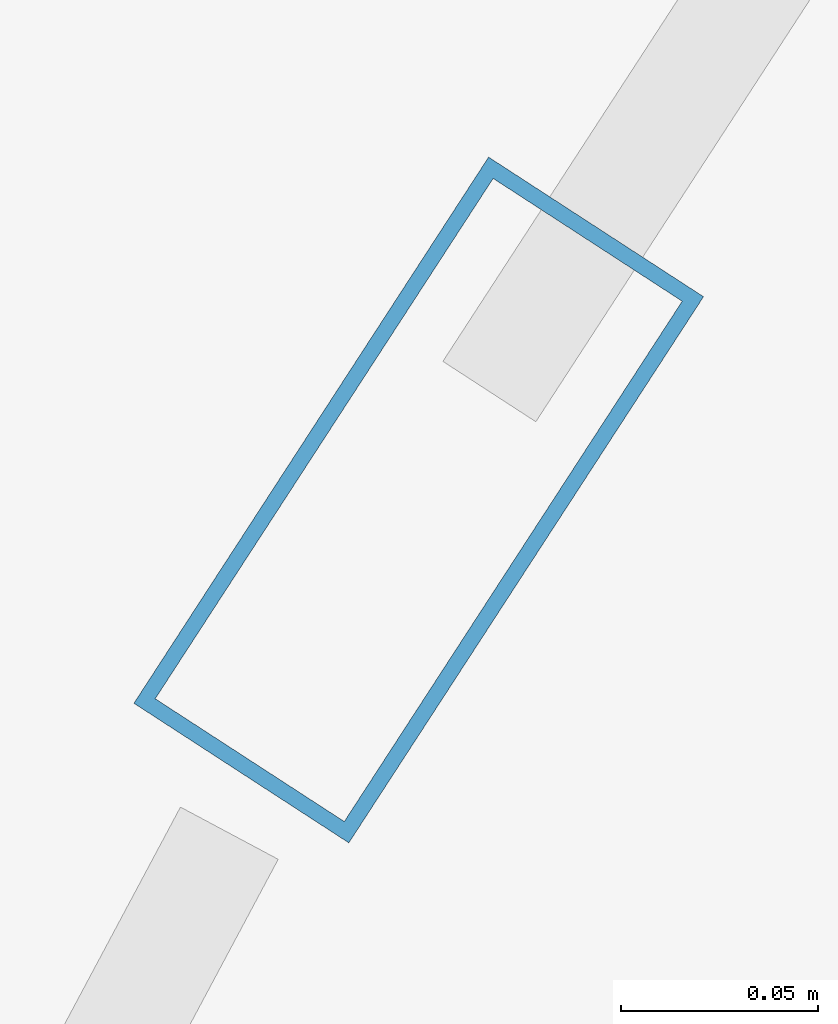
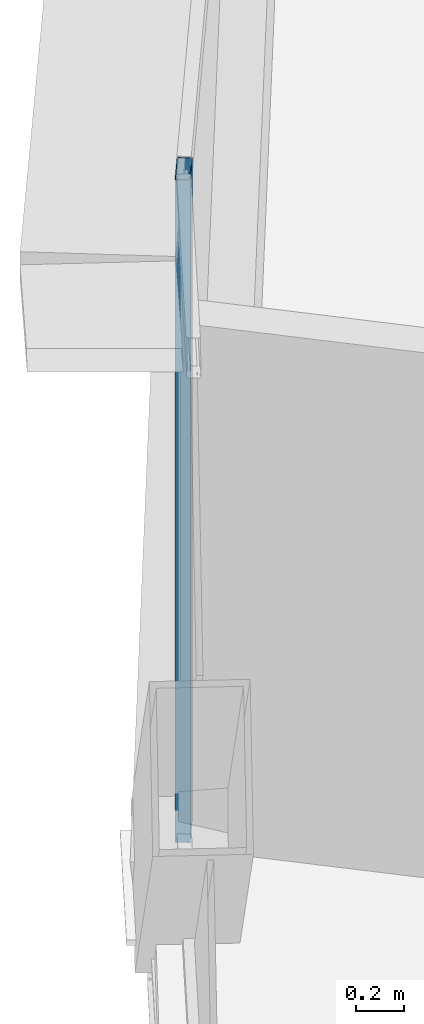
# One storey, part 15 of 38: 1 member, 1 element without a shape of its own.
"""IFC4 building model written with IfcOpenShell, lengths in metres."""

from ifc_helpers import new_model, si_unit, direction, frame, origin, origin_2d, place, context, subcontext, project, spatial, hollow_rectangle, extrude, source, transform, mapped, material, layer, layer_set, material_profile, profile_set, type_object, element, aggregate, save


model = new_model("IFC4")

# Units and contexts
model_context = context("Model", 3, precision=1e-05, world=origin(), true_north=direction((0.0, 1.0)))
body_context = subcontext(model_context, "Body", "Model", "MODEL_VIEW")
ifc_project = project(units=[si_unit("LENGTHUNIT", "METRE"), si_unit("AREAUNIT", "SQUARE_METRE"), si_unit("VOLUMEUNIT", "CUBIC_METRE"), si_unit("PLANEANGLEUNIT", "RADIAN"), si_unit("MASSUNIT", "GRAM", prefix="KILO"), si_unit("THERMODYNAMICTEMPERATUREUNIT", "KELVIN"), si_unit("POWERUNIT", "WATT")], contexts=[model_context])

# Site, building, storey
site_placement = place(None, origin())
site = spatial("IfcSite", under=ifc_project, at=site_placement, CompositionType="ELEMENT")
building_placement = place(site_placement, origin())
building = spatial("IfcBuilding", under=site, at=building_placement, Name="Yunzhuo Pagoda Commons", CompositionType="ELEMENT")
storey_placement = place(building_placement, frame((0.0, 0.0, 34.030029296875)))
storey = spatial("IfcBuildingStorey", under=building, at=storey_placement, Name="L08", CompositionType="ELEMENT", Elevation=34.030029296875)

# Curtain wall, member
ifc_material = material(Name="Anodized aluminium 6063-T6", Category="aluminium")
ifc_layer = layer(ifc_material, 0.1650390625)
ifc_layer_set = layer_set([ifc_layer], Name="Anodized aluminium 6063-T6")
curtain_wall_type = type_object("IfcCurtainWallType", Name="CW-LOW Low-Zone Ribbon Curtain Wall", PredefinedType="NOTDEFINED", material=ifc_layer_set)
curtain_wall_placement = place(storey_placement, origin())
curtain_wall = element("IfcCurtainWall", 1, at=curtain_wall_placement, inside=storey, type_object=curtain_wall_type, Name="L08 curtain wall CW-L08-F3B2", PredefinedType="NOTDEFINED")
ifc_material_profile = material_profile(ifc_material, hollow_rectangle(XDim=0.06494140625, YDim=0.1650390625, WallThickness=0.00390625, at=origin_2d()), Name="Anodized aluminium 6063-T6")
ifc_profile_set = profile_set([ifc_material_profile], Name="Anodized aluminium 6063-T6")
member_type = type_object("IfcMemberType", Name="CW-LOW-M Mullion RHS 165x65x4", PredefinedType="MULLION", material=ifc_profile_set)
shared_shape = source(origin(), body_context, "Body", "SweptSolid", [
    extrude(hollow_rectangle(XDim=0.06494140625, YDim=0.1650390625, WallThickness=0.00390625, at=origin_2d()), origin(), (0.0, 0.0, 1.0), 3.369873046875),
])
member_placement = place(storey_placement, frame((20.961181640625, 58.0888671875, 0.0), z_axis=(0.0, 0.0, 1.0), x_axis=(0.83865240069, -0.544667009114, 0.0)))
member = element("IfcMember", 2, at=member_placement, type_object=member_type, Name="CW mullion 2", PredefinedType="MULLION", context=body_context, shape_type="MappedRepresentation", body=[
    mapped(shared_shape, transform((0.0, 0.0, 0.0), scale=1.0)),
])
aggregate(curtain_wall, [member])

save(model, "model.ifc")
